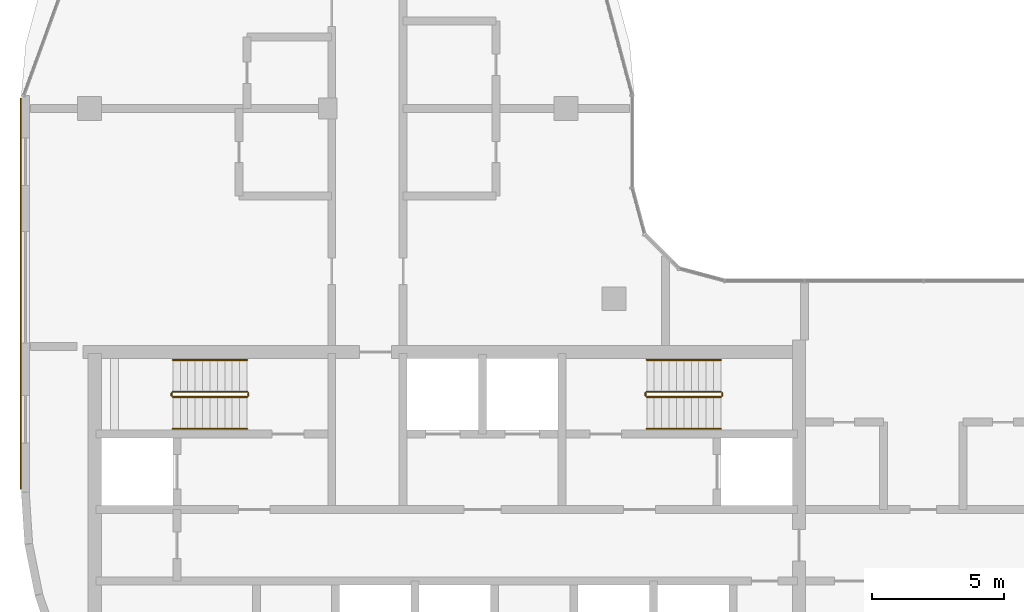
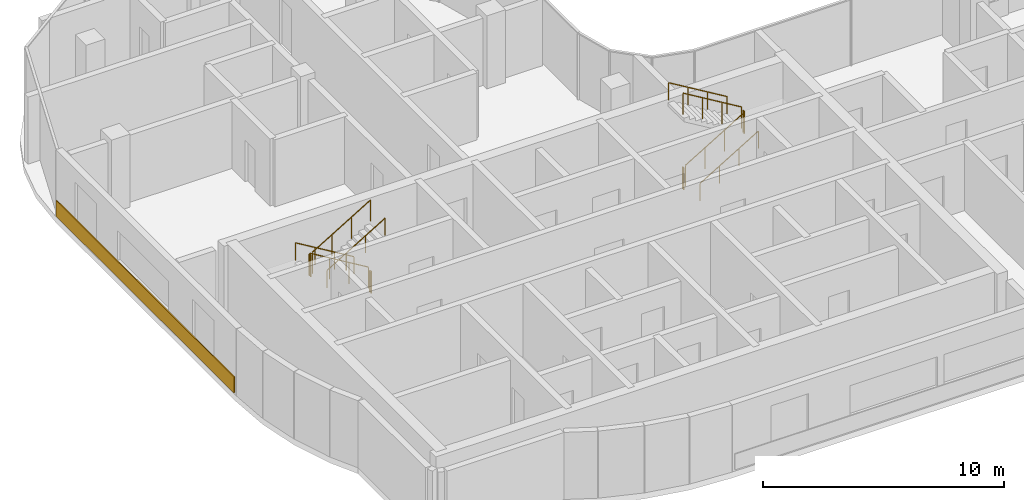
# One storey, part 15 of 18: 12 railings, 1 covering.
"""IFC4 building model written with IfcOpenShell, lengths in metres."""

import ifcopenshell
import ifcopenshell.guid

model = None  # the IFC model being written
_history = None  # IfcOwnerHistory: only IFC2X3 demands one
_inside = {}  # id of a spatial element -> (the spatial element, [elements in it])
_under = {}  # id of a project, library or spatial element -> (it, [spatial elements below it])
_declared = {}  # id of a project -> (the project, [libraries it declares])
_typed = {}  # id of a type object -> (the type object, [elements of that type])
_made_of = {}  # id of a material, layer set ... -> (it, [elements and type objects made of it])


def new_model(schema):
    """Start an empty IFC model of exactly this schema.

    Asked for "IFC4X3", IfcOpenShell would pick the latest addendum, in which some entities
    have other attributes; the version numbers below select the first issue.
    IFC2X3 requires an IfcOwnerHistory on every rooted entity: one is made here for all.
    """
    global model, _history
    if schema == "IFC4X3":
        model = ifcopenshell.file(schema_version=(4, 3, 0, 0))
    else:
        model = ifcopenshell.file(schema=schema)
    _inside.clear()
    _under.clear()
    _declared.clear()
    _typed.clear()
    _made_of.clear()
    _history = None
    if model.schema == "IFC2X3":
        org = make("IfcOrganization", Name="unknown")
        user = make(
            "IfcPersonAndOrganization",
            ThePerson=make("IfcPerson", FamilyName="unknown"),
            TheOrganization=org,
        )
        app = make(
            "IfcApplication",
            ApplicationDeveloper=org,
            Version="unknown",
            ApplicationFullName="unknown",
            ApplicationIdentifier="unknown",
        )
        _history = make(
            "IfcOwnerHistory",
            OwningUser=user,
            OwningApplication=app,
            ChangeAction="ADDED",
            CreationDate=0,
        )
    return model


def make(cls, **values):
    """One entity of the class cls with the attributes given. An attribute that is None is left unset."""
    return model.create_entity(
        cls, **{name: value for name, value in values.items() if value is not None}
    )


def rooted(cls, **values):
    """An entity with a GlobalId (a new one), such as an element, a storey or a relation."""
    return make(cls, GlobalId=ifcopenshell.guid.new(), OwnerHistory=_history, **values)


def si_unit(unit_type, name, prefix=None):
    """IfcSIUnit, for example si_unit("LENGTHUNIT", "METRE", prefix="MILLI")."""
    return make("IfcSIUnit", UnitType=unit_type, Prefix=prefix, Name=name)


def assignment(units):
    """IfcUnitAssignment: the units of a project."""
    return None if units is None else make("IfcUnitAssignment", Units=units)


def point(xyz):
    """IfcCartesianPoint."""
    return None if xyz is None else make("IfcCartesianPoint", Coordinates=xyz)


def direction(xyz):
    """IfcDirection."""
    return None if xyz is None else make("IfcDirection", DirectionRatios=xyz)


def frame(location, z_axis=None, x_axis=None):
    """IfcAxis2Placement3D, a coordinate frame: its origin and axes. An axis left out is left unset."""
    return make(
        "IfcAxis2Placement3D",
        Location=point(location),
        Axis=direction(z_axis),
        RefDirection=direction(x_axis),
    )


def frame_2d(location, x_axis=None):
    """IfcAxis2Placement2D, a coordinate frame in the plane: its origin and x axis."""
    return make(
        "IfcAxis2Placement2D", Location=point(location), RefDirection=direction(x_axis)
    )


def origin():
    """The frame at (0, 0, 0) with its axes left unset."""
    return frame((0.0, 0.0, 0.0))


def origin_2d():
    """The frame at (0, 0) in the plane with its x axis left unset."""
    return frame_2d((0.0, 0.0))


def place(relative_to, where):
    """IfcLocalPlacement: puts the frame where relative to a parent placement (None: the world)."""
    return make(
        "IfcLocalPlacement", PlacementRelTo=relative_to, RelativePlacement=where
    )


def context(
    kind, dimensions, precision=None, world=None, true_north=None, identifier=None
):
    """IfcGeometricRepresentationContext, for example the 3D "Model" context."""
    return make(
        "IfcGeometricRepresentationContext",
        ContextIdentifier=identifier,
        ContextType=kind,
        CoordinateSpaceDimension=dimensions,
        Precision=precision,
        WorldCoordinateSystem=world,
        TrueNorth=true_north,
    )


def subcontext(parent, identifier, kind, view, scale=None):
    """IfcGeometricRepresentationSubContext, for example "Body" below "Model"."""
    return make(
        "IfcGeometricRepresentationSubContext",
        ContextIdentifier=identifier,
        ContextType=kind,
        ParentContext=parent,
        TargetScale=scale,
        TargetView=view,
    )


def project(units=None, contexts=None):
    """IfcProject with its units and contexts."""
    return rooted(
        "IfcProject",
        Name="project",
        RepresentationContexts=contexts,
        UnitsInContext=assignment(units),
    )


def spatial(cls, under=None, at=None, **own):
    """A site, building, storey or space (cls), placed at a placement, below another one or the project."""
    s = rooted(cls, ObjectPlacement=at, **own)
    if under is not None:
        _under.setdefault(under.id(), (under, []))[1].append(s)
    return s


def profile(cls, at=None, kind="AREA", **sizes):
    """A parametric profile (cls). Its sizes go by their IFC names, for example OverallWidth=200.0."""
    return make(cls, ProfileType=kind, Position=at, **sizes)


def rectangle(**sizes):
    """IfcRectangleProfileDef."""
    return profile("IfcRectangleProfileDef", **sizes)


def circle(**sizes):
    """IfcCircleProfileDef."""
    return profile("IfcCircleProfileDef", **sizes)


def extrude(swept, where, along, depth):
    """IfcExtrudedAreaSolid: the profile swept, set in the frame where, extruded along a direction by depth."""
    return make(
        "IfcExtrudedAreaSolid",
        SweptArea=swept,
        Position=where,
        ExtrudedDirection=direction(along),
        Depth=depth,
    )


def shape(context_of_items, identifier, shape_type, items):
    """IfcShapeRepresentation: the items that make up one representation, for example the "Body"."""
    return make(
        "IfcShapeRepresentation",
        ContextOfItems=context_of_items,
        RepresentationIdentifier=identifier,
        RepresentationType=shape_type,
        Items=items,
    )


def material(Name=None, Category=None):
    """IfcMaterial."""
    return make("IfcMaterial", Name=Name, Category=Category)


def layer(
    of_material, thickness, ventilated=None, Name=None, Category=None, Priority=None
):
    """IfcMaterialLayer: one layer of a wall or slab, of a material (None: an air gap)."""
    return make(
        "IfcMaterialLayer",
        Material=of_material,
        LayerThickness=thickness,
        IsVentilated=ventilated,
        Name=Name,
        Category=Category,
        Priority=Priority,
    )


def layer_set(layers, Name=None):
    """IfcMaterialLayerSet."""
    return make("IfcMaterialLayerSet", MaterialLayers=layers, LayerSetName=Name)


def made_of(thing, what):
    """Note that an element or type object is made of a material, layer set ...; save() writes the relation."""
    if what is not None:
        _made_of.setdefault(what.id(), (what, []))[1].append(thing)
    return thing


def type_object(cls, material=None, **own):
    """A type object (cls), such as IfcWallType, which elements share."""
    return made_of(rooted(cls, **own), material)


def element(
    cls,
    number,
    at=None,
    inside=None,
    cuts=None,
    type_object=None,
    material=None,
    context=None,
    identifier="Body",
    shape_type=None,
    held_by="IfcProductDefinitionShape",
    body=None,
    shapes=None,
    **own,
):
    """One element of the class cls, such as IfcWall. Its Tag is "e" and its number.

    at: its placement. inside: the storey or other place that contains it. cuts: it is an
    opening in that element (IfcRelVoidsElement). A single representation is given by context,
    identifier, shape_type and body (its items); several are given by shapes. held_by: the class
    of the entity that holds the representations. save() writes the other relations.
    """
    e = rooted(cls, Tag="e%d" % number, ObjectPlacement=at, **own)
    if body is not None:
        shapes = [shape(context, identifier, shape_type, body)]
    if shapes is not None:
        e.Representation = make(held_by, Representations=shapes)
    if inside is not None:
        _inside.setdefault(inside.id(), (inside, []))[1].append(e)
    if cuts is not None:
        rooted(
            "IfcRelVoidsElement", RelatingBuildingElement=cuts, RelatedOpeningElement=e
        )
    if type_object is not None:
        _typed.setdefault(type_object.id(), (type_object, []))[1].append(e)
    return made_of(e, material)


def aggregate(whole, parts):
    """IfcRelAggregates: a whole, such as a stair, and the parts it consists of."""
    return rooted("IfcRelAggregates", RelatingObject=whole, RelatedObjects=parts)


def save(model, path):
    """Write the relations noted so far, then the file.

    IfcRelAggregates (storeys below a building ...), IfcRelContainedInSpatialStructure (elements
    in a storey), IfcRelDefinesByType, IfcRelAssociatesMaterial and IfcRelDeclares: one each for
    every whole, place, type object, material and project.
    """
    for whole, parts in _under.values():
        aggregate(whole, parts)
    for where, things in _inside.values():
        rooted(
            "IfcRelContainedInSpatialStructure",
            RelatedElements=things,
            RelatingStructure=where,
        )
    for kind, things in _typed.values():
        rooted("IfcRelDefinesByType", RelatedObjects=things, RelatingType=kind)
    for what, things in _made_of.values():
        rooted("IfcRelAssociatesMaterial", RelatedObjects=things, RelatingMaterial=what)
    for by, libraries in _declared.values():
        rooted("IfcRelDeclares", RelatingContext=by, RelatedDefinitions=libraries)
    model.write(path)


model = new_model("IFC4")

# Units and contexts
model_context = context("Model", 3, precision=1e-05, world=origin(), true_north=direction((0.0, 1.0)))
body_context = subcontext(model_context, "Body", "Model", "MODEL_VIEW")
ifc_project = project(units=[si_unit("LENGTHUNIT", "METRE"), si_unit("AREAUNIT", "SQUARE_METRE"), si_unit("VOLUMEUNIT", "CUBIC_METRE"), si_unit("PLANEANGLEUNIT", "RADIAN"), si_unit("MASSUNIT", "GRAM", prefix="KILO")], contexts=[model_context])

# Site, building, storey
site_placement = place(None, origin())
site = spatial("IfcSite", under=ifc_project, at=site_placement, CompositionType="ELEMENT")
building_placement = place(site_placement, origin())
building = spatial("IfcBuilding", under=site, at=building_placement, Name="Ogive Portal Towers", CompositionType="ELEMENT")
storey_placement = place(building_placement, frame((0.0, 0.0, 236.5)))
storey = spatial("IfcBuildingStorey", under=building, at=storey_placement, Name="L59", CompositionType="ELEMENT", Elevation=236.5)

# Railings
ifc_material_1 = material(Name="Stainless steel balustrade", Category="steel")
railing_type_1 = type_object("IfcRailingType", Name="INT-GUARD", PredefinedType="GUARDRAIL", material=ifc_material_1)
railing_1_placement = place(storey_placement, frame((37.449951171875, 37.800048828125, 0.168212890625)))
element("IfcRailing", 1, at=railing_1_placement, inside=storey, type_object=railing_type_1, Name="L59 ST-A1 stair guard 1", PredefinedType="GUARDRAIL", context=body_context, shape_type="SweptSolid", body=[
    extrude(circle(Radius=0.02392578125, at=origin_2d()), frame((0.0, 0.0, 1.076171875), z_axis=(-0.857242210791, 0.0, 0.514913383045), x_axis=(0.0, -1.0, 0.0)), (0.0, 0.0, 1.0), 3.266357421875),
    extrude(circle(Radius=0.02099609375, at=origin_2d()), origin(), (0.0, 0.0, 1.0), 1.052001953125),
    extrude(circle(Radius=0.02099609375, at=origin_2d()), frame((-0.933349609375, 0.0, 0.560546875)), (0.0, 0.0, 1.0), 1.052001953125),
    extrude(circle(Radius=0.02099609375, at=origin_2d()), frame((-1.86669921875, 0.0, 1.121337890625)), (0.0, 0.0, 1.0), 1.052001953125),
    extrude(circle(Radius=0.02099609375, at=origin_2d()), frame((-2.800048828125, 0.0, 1.681884765625)), (0.0, 0.0, 1.0), 1.052001953125),
])
railing_2_placement = place(storey_placement, frame((34.60009765625, 37.75, 1.85009765625)))
element("IfcRailing", 2, at=railing_2_placement, inside=storey, type_object=railing_type_1, Name="L59 ST-A1 stair guard 2", PredefinedType="GUARDRAIL", context=body_context, shape_type="SweptSolid", body=[
    extrude(circle(Radius=0.02392578125, at=origin_2d()), frame((0.0, 0.0, 1.076171875), z_axis=(0.0, -1.0, 0.0), x_axis=(1.0, 0.0, 0.0)), (0.0, 0.0, 1.0), 0.10009765625),
    extrude(circle(Radius=0.02099609375, at=origin_2d()), origin(), (0.0, 0.0, 1.0), 1.052001953125),
    extrude(circle(Radius=0.02099609375, at=origin_2d()), frame((0.0, -0.10009765625, 0.0)), (0.0, 0.0, 1.0), 1.052001953125),
])
railing_3_placement = place(storey_placement, frame((34.64990234375, 37.60009765625, 2.01806640625)))
element("IfcRailing", 3, at=railing_3_placement, inside=storey, type_object=railing_type_1, Name="L59 ST-A1 stair guard 3", PredefinedType="GUARDRAIL", context=body_context, shape_type="SweptSolid", body=[
    extrude(circle(Radius=0.02392578125, at=origin_2d()), frame((0.0, 0.0, 1.076171875), z_axis=(0.857242210791, 0.0, 0.514913383045), x_axis=(0.0, 1.0, 0.0)), (0.0, 0.0, 1.0), 3.266357421875),
    extrude(circle(Radius=0.02099609375, at=origin_2d()), origin(), (0.0, 0.0, 1.0), 1.052001953125),
    extrude(circle(Radius=0.02099609375, at=origin_2d()), frame((0.933349609375, 0.0, 0.560546875)), (0.0, 0.0, 1.0), 1.052001953125),
    extrude(circle(Radius=0.02099609375, at=origin_2d()), frame((1.86669921875, 0.0, 1.121337890625)), (0.0, 0.0, 1.0), 1.052001953125),
    extrude(circle(Radius=0.02099609375, at=origin_2d()), frame((2.800048828125, 0.0, 1.681884765625)), (0.0, 0.0, 1.0), 1.052001953125),
])
railing_4_placement = place(storey_placement, frame((37.5, 37.75, 0.0)))
element("IfcRailing", 4, at=railing_4_placement, inside=storey, type_object=railing_type_1, Name="L59 ST-A1 stair guard 4", PredefinedType="GUARDRAIL", context=body_context, shape_type="SweptSolid", body=[
    extrude(circle(Radius=0.02392578125, at=origin_2d()), frame((0.0, 0.0, 1.076171875), z_axis=(0.0, -1.0, 0.0), x_axis=(1.0, 0.0, 0.0)), (0.0, 0.0, 1.0), 0.10009765625),
    extrude(circle(Radius=0.02099609375, at=origin_2d()), origin(), (0.0, 0.0, 1.0), 1.052001953125),
    extrude(circle(Radius=0.02099609375, at=origin_2d()), frame((0.0, -0.10009765625, 0.0)), (0.0, 0.0, 1.0), 1.052001953125),
])
railing_5_placement = place(storey_placement, frame((52.550048828125, 37.60009765625, 0.168212890625)))
element("IfcRailing", 5, at=railing_5_placement, inside=storey, type_object=railing_type_1, Name="L59 ST-A2 stair guard 1", PredefinedType="GUARDRAIL", context=body_context, shape_type="SweptSolid", body=[
    extrude(circle(Radius=0.02392578125, at=origin_2d()), frame((0.0, 0.0, 1.076171875), z_axis=(0.857242210791, 0.0, 0.514913383045), x_axis=(0.0, 1.0, 0.0)), (0.0, 0.0, 1.0), 3.266357421875),
    extrude(circle(Radius=0.02099609375, at=origin_2d()), origin(), (0.0, 0.0, 1.0), 1.052001953125),
    extrude(circle(Radius=0.02099609375, at=origin_2d()), frame((0.933349609375, 0.0, 0.560546875)), (0.0, 0.0, 1.0), 1.052001953125),
    extrude(circle(Radius=0.02099609375, at=origin_2d()), frame((1.86669921875, 0.0, 1.121337890625)), (0.0, 0.0, 1.0), 1.052001953125),
    extrude(circle(Radius=0.02099609375, at=origin_2d()), frame((2.800048828125, 0.0, 1.681884765625)), (0.0, 0.0, 1.0), 1.052001953125),
])
railing_6_placement = place(storey_placement, frame((55.39990234375, 37.64990234375, 1.85009765625)))
element("IfcRailing", 6, at=railing_6_placement, inside=storey, type_object=railing_type_1, Name="L59 ST-A2 stair guard 2", PredefinedType="GUARDRAIL", context=body_context, shape_type="SweptSolid", body=[
    extrude(circle(Radius=0.02392578125, at=origin_2d()), frame((0.0, 0.0, 1.076171875), z_axis=(0.0, 1.0, 0.0), x_axis=(-1.0, 0.0, 0.0)), (0.0, 0.0, 1.0), 0.10009765625),
    extrude(circle(Radius=0.02099609375, at=origin_2d()), origin(), (0.0, 0.0, 1.0), 1.052001953125),
    extrude(circle(Radius=0.02099609375, at=origin_2d()), frame((0.0, 0.10009765625, 0.0)), (0.0, 0.0, 1.0), 1.052001953125),
])
railing_7_placement = place(storey_placement, frame((55.35009765625, 37.800048828125, 2.01806640625)))
element("IfcRailing", 7, at=railing_7_placement, inside=storey, type_object=railing_type_1, Name="L59 ST-A2 stair guard 3", PredefinedType="GUARDRAIL", context=body_context, shape_type="SweptSolid", body=[
    extrude(circle(Radius=0.02392578125, at=origin_2d()), frame((0.0, 0.0, 1.076171875), z_axis=(-0.857242210791, 0.0, 0.514913383045), x_axis=(0.0, -1.0, 0.0)), (0.0, 0.0, 1.0), 3.266357421875),
    extrude(circle(Radius=0.02099609375, at=origin_2d()), origin(), (0.0, 0.0, 1.0), 1.052001953125),
    extrude(circle(Radius=0.02099609375, at=origin_2d()), frame((-0.933349609375, 0.0, 0.560546875)), (0.0, 0.0, 1.0), 1.052001953125),
    extrude(circle(Radius=0.02099609375, at=origin_2d()), frame((-1.86669921875, 0.0, 1.121337890625)), (0.0, 0.0, 1.0), 1.052001953125),
    extrude(circle(Radius=0.02099609375, at=origin_2d()), frame((-2.800048828125, 0.0, 1.681884765625)), (0.0, 0.0, 1.0), 1.052001953125),
])
railing_8_placement = place(storey_placement, frame((52.5, 37.64990234375, 0.0)))
element("IfcRailing", 8, at=railing_8_placement, inside=storey, type_object=railing_type_1, Name="L59 ST-A2 stair guard 4", PredefinedType="GUARDRAIL", context=body_context, shape_type="SweptSolid", body=[
    extrude(circle(Radius=0.02392578125, at=origin_2d()), frame((0.0, 0.0, 1.076171875), z_axis=(0.0, 1.0, 0.0), x_axis=(-1.0, 0.0, 0.0)), (0.0, 0.0, 1.0), 0.10009765625),
    extrude(circle(Radius=0.02099609375, at=origin_2d()), origin(), (0.0, 0.0, 1.0), 1.052001953125),
    extrude(circle(Radius=0.02099609375, at=origin_2d()), frame((0.0, 0.10009765625, 0.0)), (0.0, 0.0, 1.0), 1.052001953125),
])
ifc_material_2 = material(Name="Stainless steel handrail", Category="steel")
railing_type_2 = type_object("IfcRailingType", Name="INT-HANDRAIL", PredefinedType="HANDRAIL", material=ifc_material_2)
railing_9_placement = place(storey_placement, frame((37.449951171875, 39.0, 0.168212890625)))
element("IfcRailing", 9, at=railing_9_placement, inside=storey, type_object=railing_type_2, Name="L59 ST-A1 stair handrail 1", PredefinedType="HANDRAIL", context=body_context, shape_type="SweptSolid", body=[
    extrude(circle(Radius=0.02392578125, at=origin_2d()), frame((0.0, 0.0, 0.8759765625), z_axis=(-0.857242210791, 0.0, 0.514913383045), x_axis=(0.0, -1.0, 0.0)), (0.0, 0.0, 1.0), 3.266357421875),
    extrude(circle(Radius=0.02099609375, at=origin_2d()), origin(), (0.0, 0.0, 1.0), 0.851806640625),
    extrude(circle(Radius=0.02099609375, at=origin_2d()), frame((-0.933349609375, 0.0, 0.560546875)), (0.0, 0.0, 1.0), 0.851806640625),
    extrude(circle(Radius=0.02099609375, at=origin_2d()), frame((-1.86669921875, 0.0, 1.121337890625)), (0.0, 0.0, 1.0), 0.851806640625),
    extrude(circle(Radius=0.02099609375, at=origin_2d()), frame((-2.800048828125, 0.0, 1.681884765625)), (0.0, 0.0, 1.0), 0.851806640625),
])
for number, where, name in (
    (10, (34.64990234375, 36.39990234375, 2.01806640625), "L59 ST-A1 stair handrail 2"),
    (11, (52.550048828125, 36.39990234375, 0.168212890625), "L59 ST-A2 stair handrail 1"),
):
    element("IfcRailing", number, at=place(storey_placement, frame(where)), inside=storey, type_object=railing_type_2, Name=name, PredefinedType="HANDRAIL", context=body_context, shape_type="SweptSolid", body=[
        extrude(circle(Radius=0.02392578125, at=origin_2d()), frame((0.0, 0.0, 0.8759765625), z_axis=(0.857242210791, 0.0, 0.514913383045), x_axis=(0.0, 1.0, 0.0)), (0.0, 0.0, 1.0), 3.266357421875),
        extrude(circle(Radius=0.02099609375, at=origin_2d()), origin(), (0.0, 0.0, 1.0), 0.851806640625),
        extrude(circle(Radius=0.02099609375, at=origin_2d()), frame((0.933349609375, 0.0, 0.560546875)), (0.0, 0.0, 1.0), 0.851806640625),
        extrude(circle(Radius=0.02099609375, at=origin_2d()), frame((1.86669921875, 0.0, 1.121337890625)), (0.0, 0.0, 1.0), 0.851806640625),
        extrude(circle(Radius=0.02099609375, at=origin_2d()), frame((2.800048828125, 0.0, 1.681884765625)), (0.0, 0.0, 1.0), 0.851806640625),
    ])
railing_10_placement = place(storey_placement, frame((55.35009765625, 39.0, 2.01806640625)))
element("IfcRailing", 12, at=railing_10_placement, inside=storey, type_object=railing_type_2, Name="L59 ST-A2 stair handrail 2", PredefinedType="HANDRAIL", context=body_context, shape_type="SweptSolid", body=[
    extrude(circle(Radius=0.02392578125, at=origin_2d()), frame((0.0, 0.0, 0.8759765625), z_axis=(-0.857242210791, 0.0, 0.514913383045), x_axis=(0.0, -1.0, 0.0)), (0.0, 0.0, 1.0), 3.266357421875),
    extrude(circle(Radius=0.02099609375, at=origin_2d()), origin(), (0.0, 0.0, 1.0), 0.851806640625),
    extrude(circle(Radius=0.02099609375, at=origin_2d()), frame((-0.933349609375, 0.0, 0.560546875)), (0.0, 0.0, 1.0), 0.851806640625),
    extrude(circle(Radius=0.02099609375, at=origin_2d()), frame((-1.86669921875, 0.0, 1.121337890625)), (0.0, 0.0, 1.0), 0.851806640625),
    extrude(circle(Radius=0.02099609375, at=origin_2d()), frame((-2.800048828125, 0.0, 1.681884765625)), (0.0, 0.0, 1.0), 0.851806640625),
])

# Covering
ifc_material_3 = material(Name="Limestone cladding on lightweight block wall", Category="masonry")
ifc_layer = layer(ifc_material_3, 0.050048828125)
ifc_layer_set = layer_set([ifc_layer], Name="SCREEN PERFORATED STONE")
covering_type = type_object("IfcCoveringType", Name="SCREEN PERFORATED STONE", PredefinedType="CLADDING", material=ifc_layer_set)
covering_placement = place(storey_placement, frame((28.89990234375, 41.497802734375, 0.10009765625), z_axis=(0.0, 0.0, 1.0), x_axis=(0.0, -1.0, 0.0)))
element("IfcCovering", 13, at=covering_placement, inside=storey, type_object=covering_type, Name="Tracery screen", PredefinedType="CLADDING", context=body_context, shape_type="SweptSolid", body=[
    extrude(rectangle(XDim=14.776123046875, YDim=0.050048828125, at=origin_2d()), origin(), (0.0, 0.0, 1.0), 0.800048828125),
])

save(model, "model.ifc")
